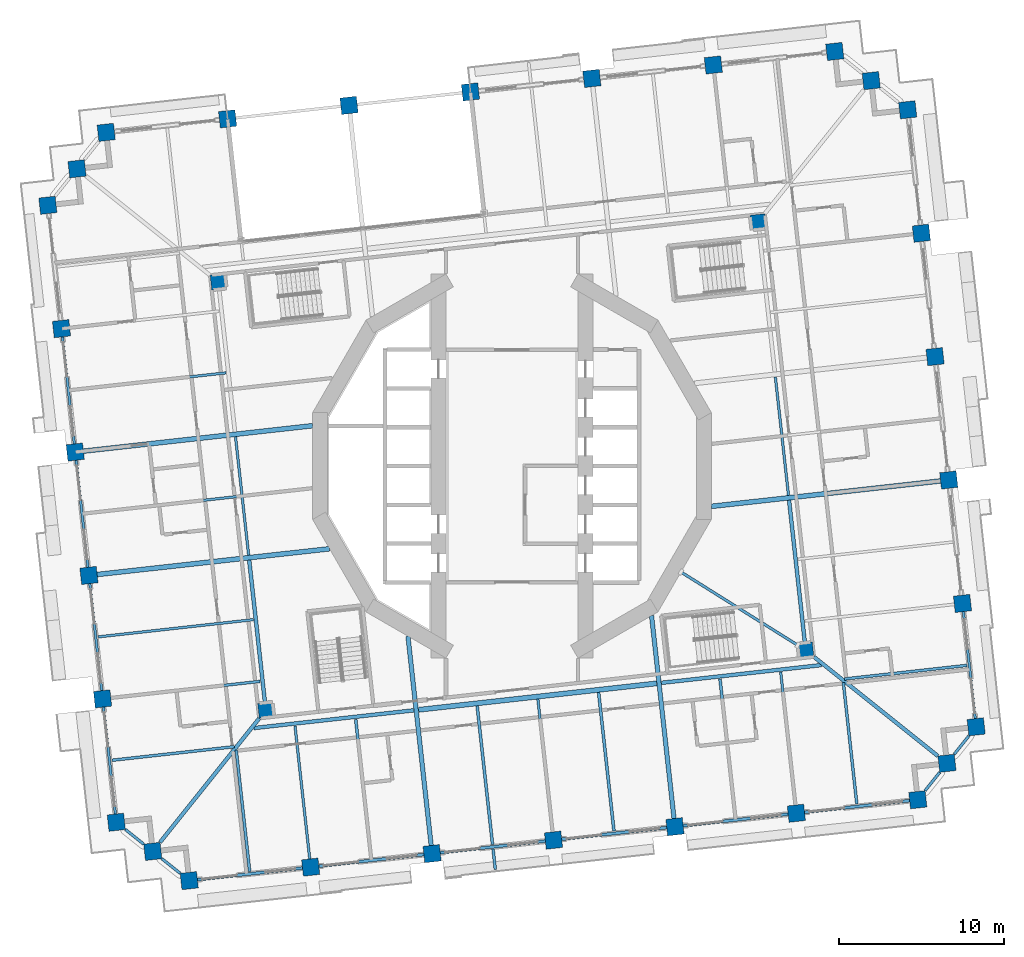
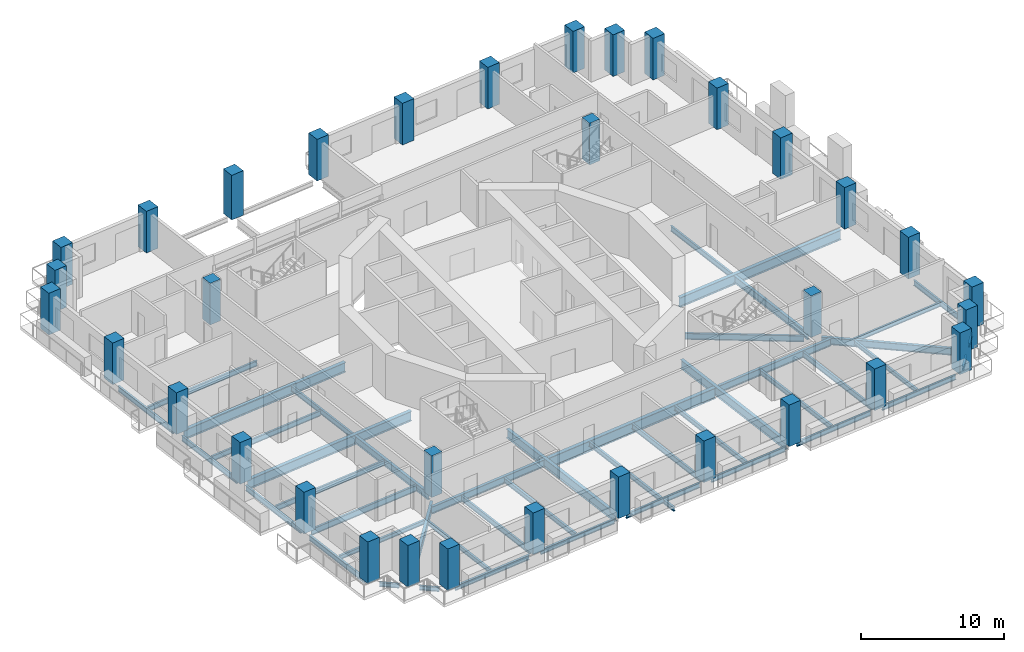
# One storey, part 1 of 21: 46 beams, 34 columns.
"""IFC4 building model written with IfcOpenShell, lengths in metres."""

from ifc_helpers import new_model, si_unit, direction, frame, origin, origin_2d, place, context, subcontext, project, spatial, rectangle, i_section, extrude, material, material_profile, profile_set, type_object, element, save


model = new_model("IFC4")

# Units and contexts
model_context = context("Model", 3, precision=1e-05, world=origin(), true_north=direction((0.0, 1.0)))
body_context = subcontext(model_context, "Body", "Model", "MODEL_VIEW")
ifc_project = project(units=[si_unit("LENGTHUNIT", "METRE"), si_unit("AREAUNIT", "SQUARE_METRE"), si_unit("VOLUMEUNIT", "CUBIC_METRE"), si_unit("PLANEANGLEUNIT", "RADIAN"), si_unit("MASSUNIT", "GRAM", prefix="KILO")], contexts=[model_context])

# Site, building, storey
site_placement = place(None, origin())
site = spatial("IfcSite", under=ifc_project, at=site_placement, CompositionType="ELEMENT")
building_placement = place(site_placement, origin())
building = spatial("IfcBuilding", under=site, at=building_placement, Name="Cantera Rosa Tower", CompositionType="ELEMENT")
storey_placement = place(building_placement, frame((0.0, 0.0, 61.5)))
storey = spatial("IfcBuildingStorey", under=building, at=storey_placement, Name="L12", CompositionType="ELEMENT", Elevation=61.5)

# Columns
ifc_material_1 = material(Name="Concrete C70/85", Category="concrete")
ifc_material_profile_1 = material_profile(ifc_material_1, rectangle(XDim=1.0, YDim=1.0, at=origin_2d()), Name="RC COLUMN RC1000X1000 C70/85")
ifc_profile_set_1 = profile_set([ifc_material_profile_1], Name="Concrete C70/85")
column_type_1 = type_object("IfcColumnType", Name="RC COLUMN RC1000X1000 C70/85", PredefinedType="COLUMN", material=ifc_profile_set_1)
for number, where, z_axis, x_axis, name in (
    (1, (28.114013671875, -15.795166015625, 0.0), (0.0, 0.0, 1.0), (0.993896946415, 0.110312555526, 0.0), "C-Z1-01 L12"),
    (2, (27.284423828125, -8.321044921875, 0.0), (0.0, 0.0, 1.0), (0.993896946415, 0.110312555526, 0.0), "C-Z1-02 L12"),
    (3, (26.454833984375, -0.846923828125, 0.0), (0.0, 0.0, 1.0), (0.993896946415, 0.110312555526, 0.0), "C-Z1-03 L12"),
    (4, (25.625244140625, 6.627197265625, 0.0), (0.0, 0.0, 1.0), (0.993896946415, 0.110312555526, 0.0), "C-Z1-04 L12"),
    (5, (24.795654296875, 14.101318359375, 0.0), (0.0, 0.0, 1.0), (0.993896946415, 0.110312555526, 0.0), "C-Z1-05 L12"),
    (6, (23.96630859375, 21.575439453125, 0.0), (0.0, 0.0, 1.0), (0.993896946415, 0.110312555526, 0.0), "C-Z1-06 L12"),
    (7, (21.7578125, 23.342529296875, 0.0), (0.0, 0.0, 1.0), (0.993896946415, 0.110312555526, 0.0), "C-Z1-07 L12"),
    (8, (19.54931640625, 25.10986328125, 0.0), (0.0, 0.0, 1.0), (0.993896946415, 0.110312555526, 0.0), "C-Z1-08 L12"),
    (9, (12.194580078125, 24.29345703125, 0.0), (0.0, 0.0, 1.0), (0.993896946415, 0.110312555526, 0.0), "C-Z1-09 L12"),
    (10, (4.839599609375, 23.47705078125, 0.0), (0.0, 0.0, 1.0), (0.993896946415, 0.110312555526, 0.0), "C-Z1-10 L12"),
    (11, (-2.51513671875, 22.660888671875, 0.0), (0.0, 0.0, 1.0), (0.993896946415, 0.110312555526, 0.0), "C-Z1-11 L12"),
):
    element("IfcColumn", number, at=place(storey_placement, frame(where, z_axis=z_axis, x_axis=x_axis)), inside=storey, type_object=column_type_1, Name=name, PredefinedType="COLUMN", context=body_context, shape_type="SweptSolid", body=[
        extrude(rectangle(XDim=1.0, YDim=1.0, at=origin_2d()), origin(), (0.0, 0.0, 1.0), 3.550048828125),
    ])
column_placement = place(storey_placement, frame((-9.869873046875, 21.844482421875, -0.25), z_axis=(0.0, 0.0, 1.0), x_axis=(0.993896946415, 0.110312555526, 0.0)))
element("IfcColumn", 12, at=column_placement, inside=storey, type_object=column_type_1, Name="C-Z1-12 L12", PredefinedType="COLUMN", context=body_context, shape_type="SweptSolid", body=[
    extrude(rectangle(XDim=1.0, YDim=1.0, at=origin_2d()), origin(), (0.0, 0.0, 1.0), 3.800048828125),
])
for number, where, z_axis, x_axis, name in (
    (13, (-17.224853515625, 21.0283203125, 0.0), (0.0, 0.0, 1.0), (0.993896946415, 0.110312555526, 0.0), "C-Z1-13 L12"),
    (14, (-24.57958984375, 20.2119140625, 0.0), (0.0, 0.0, 1.0), (0.993896946415, 0.110312555526, 0.0), "C-Z1-14 L12"),
    (15, (-26.346923828125, 18.00341796875, 0.0), (0.0, 0.0, 1.0), (0.993896946415, 0.110312555526, 0.0), "C-Z1-15 L12"),
    (16, (-28.114013671875, 15.795166015625, 0.0), (0.0, 0.0, 1.0), (0.993896946415, 0.110312555526, 0.0), "C-Z1-16 L12"),
    (17, (-27.284423828125, 8.321044921875, 0.0), (0.0, 0.0, 1.0), (0.993896946415, 0.110312555526, 0.0), "C-Z1-17 L12"),
    (18, (-26.454833984375, 0.846923828125, 0.0), (0.0, 0.0, 1.0), (0.993896946415, 0.110312555526, 0.0), "C-Z1-18 L12"),
    (19, (-25.625244140625, -6.627197265625, 0.0), (0.0, 0.0, 1.0), (0.993896946415, 0.110312555526, 0.0), "C-Z1-19 L12"),
    (20, (-24.795654296875, -14.101318359375, 0.0), (0.0, 0.0, 1.0), (0.993896946415, 0.110312555526, 0.0), "C-Z1-20 L12"),
    (21, (-23.96630859375, -21.575439453125, 0.0), (0.0, 0.0, 1.0), (0.993896946415, 0.110312555526, 0.0), "C-Z1-21 L12"),
    (22, (-21.7578125, -23.342529296875, 0.0), (0.0, 0.0, 1.0), (0.993896946415, 0.110312555526, 0.0), "C-Z1-22 L12"),
    (23, (-19.54931640625, -25.10986328125, 0.0), (0.0, 0.0, 1.0), (0.993896946415, 0.110312555526, 0.0), "C-Z1-23 L12"),
    (24, (-12.194580078125, -24.29345703125, 0.0), (0.0, 0.0, 1.0), (0.993896946415, 0.110312555526, 0.0), "C-Z1-24 L12"),
    (25, (-4.839599609375, -23.47705078125, 0.0), (0.0, 0.0, 1.0), (0.993896946415, 0.110312555526, 0.0), "C-Z1-25 L12"),
    (26, (2.51513671875, -22.660888671875, 0.0), (0.0, 0.0, 1.0), (0.993896946415, 0.110312555526, 0.0), "C-Z1-26 L12"),
    (27, (9.869873046875, -21.844482421875, 0.0), (0.0, 0.0, 1.0), (0.993896946415, 0.110312555526, 0.0), "C-Z1-27 L12"),
    (28, (17.224853515625, -21.0283203125, 0.0), (0.0, 0.0, 1.0), (0.993896946415, 0.110312555526, 0.0), "C-Z1-28 L12"),
    (29, (24.57958984375, -20.2119140625, 0.0), (0.0, 0.0, 1.0), (0.993896946415, 0.110312555526, 0.0), "C-Z1-29 L12"),
    (30, (26.346923828125, -18.00341796875, 0.0), (0.0, 0.0, 1.0), (0.993896946415, 0.110312555526, 0.0), "C-Z1-30 L12"),
):
    element("IfcColumn", number, at=place(storey_placement, frame(where, z_axis=z_axis, x_axis=x_axis)), inside=storey, type_object=column_type_1, Name=name, PredefinedType="COLUMN", context=body_context, shape_type="SweptSolid", body=[
        extrude(rectangle(XDim=1.0, YDim=1.0, at=origin_2d()), origin(), (0.0, 0.0, 1.0), 3.550048828125),
    ])
ifc_material_2 = material(Name="Concrete C70/85", Category="concrete")
ifc_material_profile_2 = material_profile(ifc_material_2, rectangle(XDim=0.89990234375, YDim=0.89990234375, at=origin_2d()), Name="RC RING COLUMN RC900X900 C70/85")
ifc_profile_set_2 = profile_set([ifc_material_profile_2], Name="Concrete C70/85")
column_type_2 = type_object("IfcColumnType", Name="RC RING COLUMN RC900X900 C70/85", PredefinedType="COLUMN", material=ifc_profile_set_2)
for number, where, z_axis, x_axis, name in (
    (31, (14.909912109375, 14.784912109375, 0.0), (0.0, 0.0, 1.0), (0.993896946415, 0.110312555526, 0.0), "CI-Z1-1 L12"),
    (32, (-17.7890625, 11.15576171875, 0.0), (0.0, 0.0, 1.0), (0.993896946415, 0.110312555526, 0.0), "CI-Z1-2 L12"),
    (33, (-14.909912109375, -14.784912109375, 0.0), (0.0, 0.0, 1.0), (0.993896946415, 0.110312555526, 0.0), "CI-Z1-3 L12"),
    (34, (17.7890625, -11.15576171875, 0.0), (0.0, 0.0, 1.0), (0.993896946415, 0.110312555526, 0.0), "CI-Z1-4 L12"),
):
    element("IfcColumn", number, at=place(storey_placement, frame(where, z_axis=z_axis, x_axis=x_axis)), inside=storey, type_object=column_type_2, Name=name, PredefinedType="COLUMN", context=body_context, shape_type="SweptSolid", body=[
        extrude(rectangle(XDim=0.89990234375, YDim=0.89990234375, at=origin_2d()), origin(), (0.0, 0.0, 1.0), 3.550048828125),
    ])

# Beams
ifc_material_3 = material(Name="Steel ASTM A992 (Fy 345 MPa)", Category="steel")
ifc_material_profile_3 = material_profile(ifc_material_3, i_section(OverallWidth=0.154052734375, OverallDepth=0.4599609375, WebThickness=0.009033203125, FlangeThickness=0.015380859375, FilletRadius=0.01025390625, at=origin_2d()), Name="W460X68")
ifc_profile_set_3 = profile_set([ifc_material_profile_3], Name="Steel ASTM A992 (Fy 345 MPa)")
beam_type_1 = type_object("IfcBeamType", Name="STEEL BEAM W460X68", PredefinedType="BEAM", material=ifc_profile_set_3)
beam_1_placement = place(storey_placement, frame((-12.249755859375, -23.796630859375, -0.47998046875), z_axis=(-0.110312435488, 0.993896959738, 0.0), x_axis=(-0.993896959738, -0.110312435488, 0.0)))
element("IfcBeam", 35, at=beam_1_placement, inside=storey, type_object=beam_type_1, Name="G-Z1-10 L12", PredefinedType="BEAM", context=body_context, shape_type="SweptSolid", body=[
    extrude(i_section(OverallWidth=0.154052734375, OverallDepth=0.4599609375, WebThickness=0.009033203125, FlangeThickness=0.015380859375, FilletRadius=0.01025390625, at=origin_2d()), origin(), (0.0, 0.0, 1.0), 8.10009765625),
])
for number, where, z_axis, x_axis, name in (
    (36, (2.4599609375, -22.163818359375, -0.47998046875), (-0.110315740112, 0.993896592953, 0.0), (-0.993896592953, -0.110315740112, 0.0), "G-Z1-12 L12"),
    (37, (17.169677734375, -20.53125, -0.47998046875), (-0.110315740112, 0.993896592953, 0.0), (-0.993896592953, -0.110315740112, 0.0), "G-Z1-14 L12"),
):
    element("IfcBeam", number, at=place(storey_placement, frame(where, z_axis=z_axis, x_axis=x_axis)), inside=storey, type_object=beam_type_1, Name=name, PredefinedType="BEAM", context=body_context, shape_type="SweptSolid", body=[
        extrude(i_section(OverallWidth=0.154052734375, OverallDepth=0.4599609375, WebThickness=0.009033203125, FlangeThickness=0.015380859375, FilletRadius=0.01025390625, at=origin_2d()), origin(), (0.0, 0.0, 1.0), 8.099853515625),
    ])
for number, where, z_axis, x_axis, name in (
    (38, (16.747802734375, -1.7734375, -0.47998046875), (-0.110301629462, 0.993898159037, 0.0), (-0.993898159037, -0.110301629462, 0.0), "RB-Z1-08 L12"),
    (39, (-15.951416015625, -5.402587890625, -0.47998046875), (-0.110301629462, 0.993898159037, 0.0), (-0.993898159037, -0.110301629462, 0.0), "RB-Z1-11 L12"),
):
    element("IfcBeam", number, at=place(storey_placement, frame(where, z_axis=z_axis, x_axis=x_axis)), inside=storey, type_object=beam_type_1, Name=name, PredefinedType="BEAM", context=body_context, shape_type="SweptSolid", body=[
        extrude(i_section(OverallWidth=0.154052734375, OverallDepth=0.4599609375, WebThickness=0.009033203125, FlangeThickness=0.015380859375, FilletRadius=0.01025390625, at=origin_2d()), origin(), (0.0, 0.0, 1.0), 7.219970703125),
    ])
ifc_material_4 = material(Name="Steel ASTM A992 (Fy 345 MPa)", Category="steel")
ifc_material_profile_4 = material_profile(ifc_material_4, i_section(OverallWidth=0.166015625, OverallDepth=0.528076171875, WebThickness=0.009765625, FlangeThickness=0.013671875, FilletRadius=0.0126953125, at=origin_2d()), Name="W530X74")
ifc_profile_set_4 = profile_set([ifc_material_profile_4], Name="Steel ASTM A992 (Fy 345 MPa)")
beam_type_2 = type_object("IfcBeamType", Name="STEEL BEAM W530X74", PredefinedType="BEAM", material=ifc_profile_set_4)
beam_2_placement = place(storey_placement, frame((-24.298828125, -14.046142578125, -0.513916015625), z_axis=(0.993896161189, 0.110319630049, 0.0), x_axis=(-0.110319630049, 0.993896161189, 0.0)))
element("IfcBeam", 40, at=beam_2_placement, inside=storey, type_object=beam_type_2, Name="G-Z1-18 L12", PredefinedType="BEAM", context=body_context, shape_type="SweptSolid", body=[
    extrude(i_section(OverallWidth=0.166015625, OverallDepth=0.528076171875, WebThickness=0.009765625, FlangeThickness=0.013671875, FilletRadius=0.0126953125, at=origin_2d()), origin(), (0.0, 0.0, 1.0), 9.10009765625),
])
beam_3_placement = place(storey_placement, frame((17.302490234375, -10.8505859375, -0.513916015625), z_axis=(-0.847189957301, 0.531290105543, 0.0), x_axis=(-0.531290105543, -0.847189957301, 0.0)))
element("IfcBeam", 41, at=beam_3_placement, inside=storey, type_object=beam_type_2, Name="PG-Z1-01 L12", PredefinedType="BEAM", context=body_context, shape_type="SweptSolid", body=[
    extrude(i_section(OverallWidth=0.166015625, OverallDepth=0.528076171875, WebThickness=0.009765625, FlangeThickness=0.013671875, FilletRadius=0.0126953125, at=origin_2d()), origin(), (0.0, 0.0, 1.0), 8.34130859375),
])
ifc_material_5 = material(Name="Steel ASTM A992 (Fy 345 MPa)", Category="steel")
ifc_material_profile_5 = material_profile(ifc_material_5, i_section(OverallWidth=0.22802734375, OverallDepth=0.60205078125, WebThickness=0.010498046875, FlangeThickness=0.014892578125, FilletRadius=0.0126953125, at=origin_2d()), Name="W610X101")
ifc_profile_set_5 = profile_set([ifc_material_profile_5], Name="Steel ASTM A992 (Fy 345 MPa)")
beam_type_3 = type_object("IfcBeamType", Name="STEEL BEAM W610X101", PredefinedType="BEAM", material=ifc_profile_set_5)
beam_4_placement = place(storey_placement, frame((-21.31591796875, -22.79052734375, -0.551025390625), z_axis=(0.624787924463, 0.780794498857, 0.0), x_axis=(-0.780794498857, 0.624787924463, 0.0)))
element("IfcBeam", 42, at=beam_4_placement, inside=storey, type_object=beam_type_3, Name="CB-Z1-03 L12", PredefinedType="BEAM", context=body_context, shape_type="SweptSolid", body=[
    extrude(i_section(OverallWidth=0.22802734375, OverallDepth=0.60205078125, WebThickness=0.010498046875, FlangeThickness=0.014892578125, FilletRadius=0.0126953125, at=origin_2d()), origin(), (0.0, 0.0, 1.0), 9.616455078125),
])
beam_5_placement = place(storey_placement, frame((25.794677734375, -17.561767578125, -0.551025390625), z_axis=(-0.78078211406, 0.62480340137, 0.0), x_axis=(-0.62480340137, -0.78078211406, 0.0)))
element("IfcBeam", 43, at=beam_5_placement, inside=storey, type_object=beam_type_3, Name="CB-Z1-04 L12", PredefinedType="BEAM", context=body_context, shape_type="SweptSolid", body=[
    extrude(i_section(OverallWidth=0.22802734375, OverallDepth=0.60205078125, WebThickness=0.010498046875, FlangeThickness=0.014892578125, FilletRadius=0.0126953125, at=origin_2d()), origin(), (0.0, 0.0, 1.0), 9.61669921875),
])
for number, where, z_axis, x_axis, name in (
    (44, (17.739501953125, -10.70849609375, -0.551025390625), (-0.110298932846, 0.993898458301, 0.0), (-0.993898458301, -0.110298932846, 0.0), "RB-Z1-07 L12"),
    (45, (-14.959716796875, -14.337646484375, -0.551025390625), (-0.110298932846, 0.993898458301, 0.0), (-0.993898458301, -0.110298932846, 0.0), "RB-Z1-10 L12"),
):
    element("IfcBeam", number, at=place(storey_placement, frame(where, z_axis=z_axis, x_axis=x_axis)), inside=storey, type_object=beam_type_3, Name=name, PredefinedType="BEAM", context=body_context, shape_type="SweptSolid", body=[
        extrude(i_section(OverallWidth=0.22802734375, OverallDepth=0.60205078125, WebThickness=0.010498046875, FlangeThickness=0.014892578125, FilletRadius=0.0126953125, at=origin_2d()), origin(), (0.0, 0.0, 1.0), 8.68994140625),
    ])
ifc_material_6 = material(Name="Steel ASTM A992 (Fy 345 MPa)", Category="steel")
ifc_material_profile_6 = material_profile(ifc_material_6, i_section(OverallWidth=0.22900390625, OverallDepth=0.612060546875, WebThickness=0.011962890625, FlangeThickness=0.01953125, FilletRadius=0.0126953125, at=origin_2d()), Name="W610X125")
ifc_profile_set_6 = profile_set([ifc_material_profile_6], Name="Steel ASTM A992 (Fy 345 MPa)")
beam_type_4 = type_object("IfcBeamType", Name="STEEL BEAM W610X125", PredefinedType="BEAM", material=ifc_profile_set_6)
beam_6_placement = place(storey_placement, frame((-15.64453125, -15.87255859375, -0.555908203125), z_axis=(0.993898078625, 0.110302354035, 0.0), x_axis=(-0.110302354035, 0.993898078625, 0.0)))
element("IfcBeam", 46, at=beam_6_placement, inside=storey, type_object=beam_type_4, Name="RB-Z1-04 L12", PredefinedType="BEAM", context=body_context, shape_type="SweptSolid", body=[
    extrude(i_section(OverallWidth=0.22900390625, OverallDepth=0.612060546875, WebThickness=0.011962890625, FlangeThickness=0.01953125, FilletRadius=0.0126953125, at=origin_2d()), origin(), (0.0, 0.0, 1.0), 9.75),
])
beam_7_placement = place(storey_placement, frame((9.0537109375, -13.13134765625, -0.555908203125), z_axis=(0.993898383269, 0.110299608956, 0.0), x_axis=(-0.110299608956, 0.993898383269, 0.0)))
element("IfcBeam", 47, at=beam_7_placement, inside=storey, type_object=beam_type_4, Name="RB-Z1-06 L12", PredefinedType="BEAM", context=body_context, shape_type="SweptSolid", body=[
    extrude(i_section(OverallWidth=0.22900390625, OverallDepth=0.612060546875, WebThickness=0.011962890625, FlangeThickness=0.01953125, FilletRadius=0.0126953125, at=origin_2d()), origin(), (0.0, 0.0, 1.0), 9.750244140625),
])
ifc_material_7 = material(Name="Steel ASTM A992 (Fy 345 MPa)", Category="steel")
ifc_material_profile_7 = material_profile(ifc_material_7, i_section(OverallWidth=0.26708984375, OverallDepth=0.75390625, WebThickness=0.01318359375, FlangeThickness=0.01708984375, FilletRadius=0.0166015625, at=origin_2d()), Name="W760X147")
ifc_profile_set_7 = profile_set([ifc_material_profile_7], Name="Steel ASTM A992 (Fy 345 MPa)")
beam_type_5 = type_object("IfcBeamType", Name="STEEL BEAM W760X147", PredefinedType="BEAM", material=ifc_profile_set_7)
beam_8_placement = place(storey_placement, frame((-4.894775390625, -22.980224609375, -0.626953125), z_axis=(-0.11031177493, 0.993897033053, 0.0), x_axis=(-0.993897033053, -0.11031177493, 0.0)))
element("IfcBeam", 48, at=beam_8_placement, inside=storey, type_object=beam_type_5, Name="G-Z1-11 L12", PredefinedType="BEAM", context=body_context, shape_type="SweptSolid", body=[
    extrude(i_section(OverallWidth=0.26708984375, OverallDepth=0.75390625, WebThickness=0.01318359375, FlangeThickness=0.01708984375, FilletRadius=0.0166015625, at=origin_2d()), origin(), (0.0, 0.0, 1.0), 12.754638671875),
])
beam_9_placement = place(storey_placement, frame((9.814697265625, -21.34765625, -0.626953125), z_axis=(-0.110292782244, 0.993899140851, 0.0), x_axis=(-0.993899140851, -0.110292782244, 0.0)))
element("IfcBeam", 49, at=beam_9_placement, inside=storey, type_object=beam_type_5, Name="G-Z1-13 L12", PredefinedType="BEAM", context=body_context, shape_type="SweptSolid", body=[
    extrude(i_section(OverallWidth=0.26708984375, OverallDepth=0.75390625, WebThickness=0.01318359375, FlangeThickness=0.01708984375, FilletRadius=0.0166015625, at=origin_2d()), origin(), (0.0, 0.0, 1.0), 12.360595703125),
])
ifc_material_8 = material(Name="Steel ASTM A992 (Fy 345 MPa)", Category="steel")
ifc_material_profile_8 = material_profile(ifc_material_8, i_section(OverallWidth=0.2919921875, OverallDepth=0.8359375, WebThickness=0.013916015625, FlangeThickness=0.018798828125, FilletRadius=0.017822265625, at=origin_2d()), Name="W840X176")
ifc_profile_set_8 = profile_set([ifc_material_profile_8], Name="Steel ASTM A992 (Fy 345 MPa)")
beam_type_6 = type_object("IfcBeamType", Name="STEEL BEAM W840X176", PredefinedType="BEAM", material=ifc_profile_set_8)
for number, where, z_axis, x_axis, name in (
    (50, (25.9580078125, -0.902099609375, -0.66796875), (-0.993898644981, -0.110297250672, 0.0), (0.110297250672, -0.993898644981, 0.0), "G-Z1-02 L12"),
    (51, (-25.9580078125, 0.902099609375, -0.66796875), (0.993898644981, 0.110297250672, 0.0), (-0.110297250672, 0.993898644981, 0.0), "G-Z1-16 L12"),
):
    element("IfcBeam", number, at=place(storey_placement, frame(where, z_axis=z_axis, x_axis=x_axis)), inside=storey, type_object=beam_type_6, Name=name, PredefinedType="BEAM", context=body_context, shape_type="SweptSolid", body=[
        extrude(i_section(OverallWidth=0.2919921875, OverallDepth=0.8359375, WebThickness=0.013916015625, FlangeThickness=0.018798828125, FilletRadius=0.017822265625, at=origin_2d()), origin(), (0.0, 0.0, 1.0), 13.96923828125),
    ])
beam_10_placement = place(storey_placement, frame((-25.12841796875, -6.572021484375, -0.66796875), z_axis=(0.993897599241, 0.110306673519, 0.0), x_axis=(-0.110306673519, 0.993897599241, 0.0)))
element("IfcBeam", 52, at=beam_10_placement, inside=storey, type_object=beam_type_6, Name="G-Z1-17 L12", PredefinedType="BEAM", context=body_context, shape_type="SweptSolid", body=[
    extrude(i_section(OverallWidth=0.2919921875, OverallDepth=0.8359375, WebThickness=0.013916015625, FlangeThickness=0.018798828125, FilletRadius=0.017822265625, at=origin_2d()), origin(), (0.0, 0.0, 1.0), 14.1650390625),
])
ifc_material_9 = material(Name="Steel ASTM A992 (Fy 345 MPa)", Category="steel")
ifc_material_profile_9 = material_profile(ifc_material_9, i_section(OverallWidth=0.304931640625, OverallDepth=0.9189453125, WebThickness=0.017333984375, FlangeThickness=0.02783203125, FilletRadius=0.01904296875, at=origin_2d()), Name="W920X253")
ifc_profile_set_9 = profile_set([ifc_material_profile_9], Name="Steel ASTM A992 (Fy 345 MPa)")
beam_type_7 = type_object("IfcBeamType", Name="STEEL BEAM W920X253", PredefinedType="BEAM", material=ifc_profile_set_9)
beam_11_placement = place(storey_placement, frame((-5.65576171875, -14.763916015625, -0.70947265625), z_axis=(0.993898099692, 0.110302164209, 0.0), x_axis=(-0.110302164209, 0.993898099692, 0.0)))
element("IfcBeam", 53, at=beam_11_placement, inside=storey, type_object=beam_type_7, Name="RB-Z1-05 L12", PredefinedType="BEAM", context=body_context, shape_type="SweptSolid", body=[
    extrude(i_section(OverallWidth=0.304931640625, OverallDepth=0.9189453125, WebThickness=0.017333984375, FlangeThickness=0.02783203125, FilletRadius=0.01904296875, at=origin_2d()), origin(), (0.0, 0.0, 1.0), 14.499755859375),
])
ifc_material_10 = material(Name="Steel ASTM A992 (Fy 345 MPa)", Category="steel")
ifc_material_profile_10 = material_profile(ifc_material_10, i_section(OverallWidth=0.1708984375, OverallDepth=0.35595703125, WebThickness=0.00732421875, FlangeThickness=0.01171875, FilletRadius=0.010009765625, at=origin_2d()), Name="W360X51")
ifc_profile_set_10 = profile_set([ifc_material_profile_10], Name="Steel ASTM A992 (Fy 345 MPa)")
beam_type_8 = type_object("IfcBeamType", Name="STEEL JOIST W360X51", PredefinedType="JOIST", material=ifc_profile_set_10)
beam_12_placement = place(storey_placement, frame((27.550048828125, -12.074462890625, -0.427978515625), z_axis=(-0.993895702238, -0.110323764768, 0.0), x_axis=(0.110323764768, -0.993895702238, 0.0)))
element("IfcBeam", 54, at=beam_12_placement, inside=storey, type_object=beam_type_8, Name="B-Z1-01 L12", PredefinedType="JOIST", context=body_context, shape_type="SweptSolid", body=[
    extrude(i_section(OverallWidth=0.1708984375, OverallDepth=0.35595703125, WebThickness=0.00732421875, FlangeThickness=0.01171875, FilletRadius=0.010009765625, at=origin_2d()), origin(), (0.0, 0.0, 1.0), 7.4599609375),
])
for number, where, z_axis, x_axis, name in (
    (55, (-15.888427734375, -24.552490234375, -0.427978515625), (-0.110326513132, 0.993895397162, 0.0), (-0.993895397162, -0.110326513132, 0.0), "B-Z1-12 L12"),
    (56, (20.8857421875, -20.470947265625, -0.427978515625), (-0.110326513132, 0.993895397162, 0.0), (-0.993895397162, -0.110326513132, 0.0), "B-Z1-17 L12"),
):
    element("IfcBeam", number, at=place(storey_placement, frame(where, z_axis=z_axis, x_axis=x_axis)), inside=storey, type_object=beam_type_8, Name=name, PredefinedType="JOIST", context=body_context, shape_type="SweptSolid", body=[
        extrude(i_section(OverallWidth=0.1708984375, OverallDepth=0.35595703125, WebThickness=0.00732421875, FlangeThickness=0.01171875, FilletRadius=0.010009765625, at=origin_2d()), origin(), (0.0, 0.0, 1.0), 7.39990234375),
    ])
beam_13_placement = place(storey_placement, frame((-24.23193359375, -17.82177734375, -0.427978515625), z_axis=(0.993899688369, 0.110287848199, 0.0), x_axis=(-0.110287848199, 0.993899688369, 0.0)))
element("IfcBeam", 57, at=beam_13_placement, inside=storey, type_object=beam_type_8, Name="B-Z1-22 L12", PredefinedType="JOIST", context=body_context, shape_type="SweptSolid", body=[
    extrude(i_section(OverallWidth=0.1708984375, OverallDepth=0.35595703125, WebThickness=0.00732421875, FlangeThickness=0.01171875, FilletRadius=0.010009765625, at=origin_2d()), origin(), (0.0, 0.0, 1.0), 7.4599609375),
])
beam_14_placement = place(storey_placement, frame((-1.14794921875, -23.1982421875, -0.427978515625), z_axis=(0.110345783203, -0.993893257915, 0.0), x_axis=(0.993893257915, 0.110345783203, 0.0)))
element("IfcBeam", 58, at=beam_14_placement, inside=storey, type_object=beam_type_8, Name="BS-Z1-10 L12", PredefinedType="JOIST", context=body_context, shape_type="SweptSolid", body=[
    extrude(i_section(OverallWidth=0.1708984375, OverallDepth=0.35595703125, WebThickness=0.00732421875, FlangeThickness=0.01171875, FilletRadius=0.010009765625, at=origin_2d()), origin(), (0.0, 0.0, 1.0), 1.25),
])
ifc_material_11 = material(Name="Steel ASTM A992 (Fy 345 MPa)", Category="steel")
ifc_material_profile_11 = material_profile(ifc_material_11, i_section(OverallWidth=0.177978515625, OverallDepth=0.406005859375, WebThickness=0.0078125, FlangeThickness=0.0126953125, FilletRadius=0.01025390625, at=origin_2d()), Name="W410X60")
ifc_profile_set_11 = profile_set([ifc_material_profile_11], Name="Steel ASTM A992 (Fy 345 MPa)")
beam_type_9 = type_object("IfcBeamType", Name="STEEL JOIST W410X60", PredefinedType="JOIST", material=ifc_profile_set_11)
for number, where, z_axis, x_axis, name in (
    (59, (-8.53369140625, -23.736328125, -0.452880859375), (-0.110311022989, 0.99389711651, 0.0), (-0.99389711651, -0.110311022989, 0.0), "B-Z1-13 L12"),
    (60, (-1.178955078125, -22.919921875, -0.452880859375), (-0.110311022989, 0.99389711651, 0.0), (-0.99389711651, -0.110311022989, 0.0), "B-Z1-14 L12"),
    (61, (6.176025390625, -22.103515625, -0.452880859375), (-0.110311022989, 0.99389711651, 0.0), (-0.99389711651, -0.110311022989, 0.0), "B-Z1-15 L12"),
    (62, (13.53076171875, -21.287353515625, -0.452880859375), (-0.110311022989, 0.99389711651, 0.0), (-0.99389711651, -0.110311022989, 0.0), "B-Z1-16 L12"),
):
    element("IfcBeam", number, at=place(storey_placement, frame(where, z_axis=z_axis, x_axis=x_axis)), inside=storey, type_object=beam_type_9, Name=name, PredefinedType="JOIST", context=body_context, shape_type="SweptSolid", body=[
        extrude(i_section(OverallWidth=0.177978515625, OverallDepth=0.406005859375, WebThickness=0.0078125, FlangeThickness=0.0126953125, FilletRadius=0.01025390625, at=origin_2d()), origin(), (0.0, 0.0, 1.0), 8.449951171875),
    ])
ifc_material_12 = material(Name="Steel ASTM A992 (Fy 345 MPa)", Category="steel")
ifc_material_profile_12 = material_profile(ifc_material_12, i_section(OverallWidth=0.154052734375, OverallDepth=0.4599609375, WebThickness=0.009033203125, FlangeThickness=0.015380859375, FilletRadius=0.01025390625, at=origin_2d()), Name="W460X68")
ifc_profile_set_12 = profile_set([ifc_material_profile_12], Name="Steel ASTM A992 (Fy 345 MPa)")
beam_type_10 = type_object("IfcBeamType", Name="STEEL JOIST W460X68", PredefinedType="JOIST", material=ifc_profile_set_12)
for number, where, z_axis, x_axis, name in (
    (63, (-26.720458984375, 4.600341796875, -0.47998046875), (0.993896645353, 0.110315268011, 0.0), (-0.110315268011, 0.993896645353, 0.0), "B-Z1-19 L12"),
    (64, (-25.89111328125, -2.87353515625, -0.47998046875), (0.993899477629, 0.110289747342, 0.0), (-0.110289747342, 0.993899477629, 0.0), "B-Z1-20 L12"),
    (65, (-25.0615234375, -10.34765625, -0.47998046875), (0.993896645353, 0.110315268011, 0.0), (-0.110315268011, 0.993896645353, 0.0), "B-Z1-21 L12"),
):
    element("IfcBeam", number, at=place(storey_placement, frame(where, z_axis=z_axis, x_axis=x_axis)), inside=storey, type_object=beam_type_10, Name=name, PredefinedType="JOIST", context=body_context, shape_type="SweptSolid", body=[
        extrude(i_section(OverallWidth=0.154052734375, OverallDepth=0.4599609375, WebThickness=0.009033203125, FlangeThickness=0.015380859375, FilletRadius=0.01025390625, at=origin_2d()), origin(), (0.0, 0.0, 1.0), 9.449951171875),
    ])
ifc_material_13 = material(Name="Steel ASTM A992 (Fy 345 MPa)", Category="steel")
ifc_material_profile_13 = material_profile(ifc_material_13, i_section(OverallWidth=0.1708984375, OverallDepth=0.35595703125, WebThickness=0.00732421875, FlangeThickness=0.01171875, FilletRadius=0.010009765625, at=origin_2d()), Name="W360X51")
ifc_profile_set_13 = profile_set([ifc_material_profile_13], Name="Steel ASTM A992 (Fy 345 MPa)")
beam_type_11 = type_object("IfcBeamType", Name="STEEL SPANDREL BEAM W360X51", PredefinedType="SPANDREL", material=ifc_profile_set_13)
for number, where, z_axis, x_axis, name in (
    (66, (-23.4140625, -22.017333984375, -0.427978515625), (0.780818280208, -0.624758203863, 0.0), (0.624758203863, 0.780818280208, 0.0), "EB-Z1-21 L12"),
    (67, (-21.205810546875, -23.784423828125, -0.427978515625), (0.780818280208, -0.624758203863, 0.0), (0.624758203863, 0.780818280208, 0.0), "EB-Z1-22 L12"),
    (68, (25.021484375, -19.659912109375, -0.427978515625), (0.624758203863, 0.780818280208, 0.0), (-0.780818280208, 0.624758203863, 0.0), "EB-Z1-29 L12"),
    (69, (26.78857421875, -17.451416015625, -0.427978515625), (0.624758203863, 0.780818280208, 0.0), (-0.780818280208, 0.624758203863, 0.0), "EB-Z1-30 L12"),
):
    element("IfcBeam", number, at=place(storey_placement, frame(where, z_axis=z_axis, x_axis=x_axis)), inside=storey, type_object=beam_type_11, Name=name, PredefinedType="SPANDREL", context=body_context, shape_type="SweptSolid", body=[
        extrude(i_section(OverallWidth=0.1708984375, OverallDepth=0.35595703125, WebThickness=0.00732421875, FlangeThickness=0.01171875, FilletRadius=0.010009765625, at=origin_2d()), origin(), (0.0, 0.0, 1.0), 1.414306640625),
    ])
ifc_material_14 = material(Name="Steel ASTM A992 (Fy 345 MPa)", Category="steel")
ifc_material_profile_14 = material_profile(ifc_material_14, i_section(OverallWidth=0.177978515625, OverallDepth=0.406005859375, WebThickness=0.0078125, FlangeThickness=0.0126953125, FilletRadius=0.01025390625, at=origin_2d()), Name="W410X60")
ifc_profile_set_14 = profile_set([ifc_material_profile_14], Name="Steel ASTM A992 (Fy 345 MPa)")
beam_type_12 = type_object("IfcBeamType", Name="STEEL SPANDREL BEAM W410X60", PredefinedType="SPANDREL", material=ifc_profile_set_14)
beam_15_placement = place(storey_placement, frame((-19.052490234375, -25.0546875, -0.452880859375), z_axis=(0.993896288542, 0.110318482689, 0.0), x_axis=(-0.110318482689, 0.993896288542, 0.0)))
element("IfcBeam", 70, at=beam_15_placement, inside=storey, type_object=beam_type_12, Name="EB-Z1-23 L12", PredefinedType="SPANDREL", context=body_context, shape_type="SweptSolid", body=[
    extrude(i_section(OverallWidth=0.177978515625, OverallDepth=0.406005859375, WebThickness=0.0078125, FlangeThickness=0.0126953125, FilletRadius=0.01025390625, at=origin_2d()), origin(), (0.0, 0.0, 1.0), 6.400146484375),
])
for number, where, z_axis, x_axis, name in (
    (71, (-11.697509765625, -24.23828125, -0.452880859375), (0.993895824271, 0.110322665379, 0.0), (-0.110322665379, 0.993895824271, 0.0), "EB-Z1-24 L12"),
    (72, (-4.3427734375, -23.422119140625, -0.452880859375), (0.993895824271, 0.110322665379, 0.0), (-0.110322665379, 0.993895824271, 0.0), "EB-Z1-25 L12"),
):
    element("IfcBeam", number, at=place(storey_placement, frame(where, z_axis=z_axis, x_axis=x_axis)), inside=storey, type_object=beam_type_12, Name=name, PredefinedType="SPANDREL", context=body_context, shape_type="SweptSolid", body=[
        extrude(i_section(OverallWidth=0.177978515625, OverallDepth=0.406005859375, WebThickness=0.0078125, FlangeThickness=0.0126953125, FilletRadius=0.01025390625, at=origin_2d()), origin(), (0.0, 0.0, 1.0), 6.39990234375),
    ])
beam_16_placement = place(storey_placement, frame((3.011962890625, -22.605712890625, -0.452880859375), z_axis=(0.993896288542, 0.110318482689, 0.0), x_axis=(-0.110318482689, 0.993896288542, 0.0)))
element("IfcBeam", 73, at=beam_16_placement, inside=storey, type_object=beam_type_12, Name="EB-Z1-26 L12", PredefinedType="SPANDREL", context=body_context, shape_type="SweptSolid", body=[
    extrude(i_section(OverallWidth=0.177978515625, OverallDepth=0.406005859375, WebThickness=0.0078125, FlangeThickness=0.0126953125, FilletRadius=0.01025390625, at=origin_2d()), origin(), (0.0, 0.0, 1.0), 6.400146484375),
])
beam_17_placement = place(storey_placement, frame((10.366943359375, -21.789306640625, -0.452880859375), z_axis=(0.993900006422, 0.110284981906, 0.0), x_axis=(-0.110284981906, 0.993900006422, 0.0)))
element("IfcBeam", 74, at=beam_17_placement, inside=storey, type_object=beam_type_12, Name="EB-Z1-27 L12", PredefinedType="SPANDREL", context=body_context, shape_type="SweptSolid", body=[
    extrude(i_section(OverallWidth=0.177978515625, OverallDepth=0.406005859375, WebThickness=0.0078125, FlangeThickness=0.0126953125, FilletRadius=0.01025390625, at=origin_2d()), origin(), (0.0, 0.0, 1.0), 6.39990234375),
])
beam_18_placement = place(storey_placement, frame((17.7216796875, -20.97314453125, -0.452880859375), z_axis=(0.993896288542, 0.110318482689, 0.0), x_axis=(-0.110318482689, 0.993896288542, 0.0)))
element("IfcBeam", 75, at=beam_18_placement, inside=storey, type_object=beam_type_12, Name="EB-Z1-28 L12", PredefinedType="SPANDREL", context=body_context, shape_type="SweptSolid", body=[
    extrude(i_section(OverallWidth=0.177978515625, OverallDepth=0.406005859375, WebThickness=0.0078125, FlangeThickness=0.0126953125, FilletRadius=0.01025390625, at=origin_2d()), origin(), (0.0, 0.0, 1.0), 6.400146484375),
])
ifc_material_15 = material(Name="Steel ASTM A992 (Fy 345 MPa)", Category="steel")
ifc_material_profile_15 = material_profile(ifc_material_15, i_section(OverallWidth=0.154052734375, OverallDepth=0.4599609375, WebThickness=0.009033203125, FlangeThickness=0.015380859375, FilletRadius=0.01025390625, at=origin_2d()), Name="W460X68")
ifc_profile_set_15 = profile_set([ifc_material_profile_15], Name="Steel ASTM A992 (Fy 345 MPa)")
beam_type_13 = type_object("IfcBeamType", Name="STEEL SPANDREL BEAM W460X68", PredefinedType="SPANDREL", material=ifc_profile_set_15)
for number, where, z_axis, x_axis, name in (
    (76, (28.058837890625, -15.298095703125, -0.47998046875), (-0.110312341265, 0.993896970196, 0.0), (-0.993896970196, -0.110312341265, 0.0), "EB-Z1-01 L12"),
    (77, (-27.229248046875, 7.823974609375, -0.47998046875), (0.110312341265, -0.993896970196, 0.0), (0.993896970196, 0.110312341265, 0.0), "EB-Z1-17 L12"),
    (78, (-26.399658203125, 0.349853515625, -0.47998046875), (0.110312341265, -0.993896970196, 0.0), (0.993896970196, 0.110312341265, 0.0), "EB-Z1-18 L12"),
    (79, (-25.570068359375, -7.124267578125, -0.47998046875), (0.110312341265, -0.993896970196, 0.0), (0.993896970196, 0.110312341265, 0.0), "EB-Z1-19 L12"),
    (80, (-24.74072265625, -14.598388671875, -0.47998046875), (0.110312341265, -0.993896970196, 0.0), (0.993896970196, 0.110312341265, 0.0), "EB-Z1-20 L12"),
):
    element("IfcBeam", number, at=place(storey_placement, frame(where, z_axis=z_axis, x_axis=x_axis)), inside=storey, type_object=beam_type_13, Name=name, PredefinedType="SPANDREL", context=body_context, shape_type="SweptSolid", body=[
        extrude(i_section(OverallWidth=0.154052734375, OverallDepth=0.4599609375, WebThickness=0.009033203125, FlangeThickness=0.015380859375, FilletRadius=0.01025390625, at=origin_2d()), origin(), (0.0, 0.0, 1.0), 6.52001953125),
    ])

save(model, "model.ifc")
